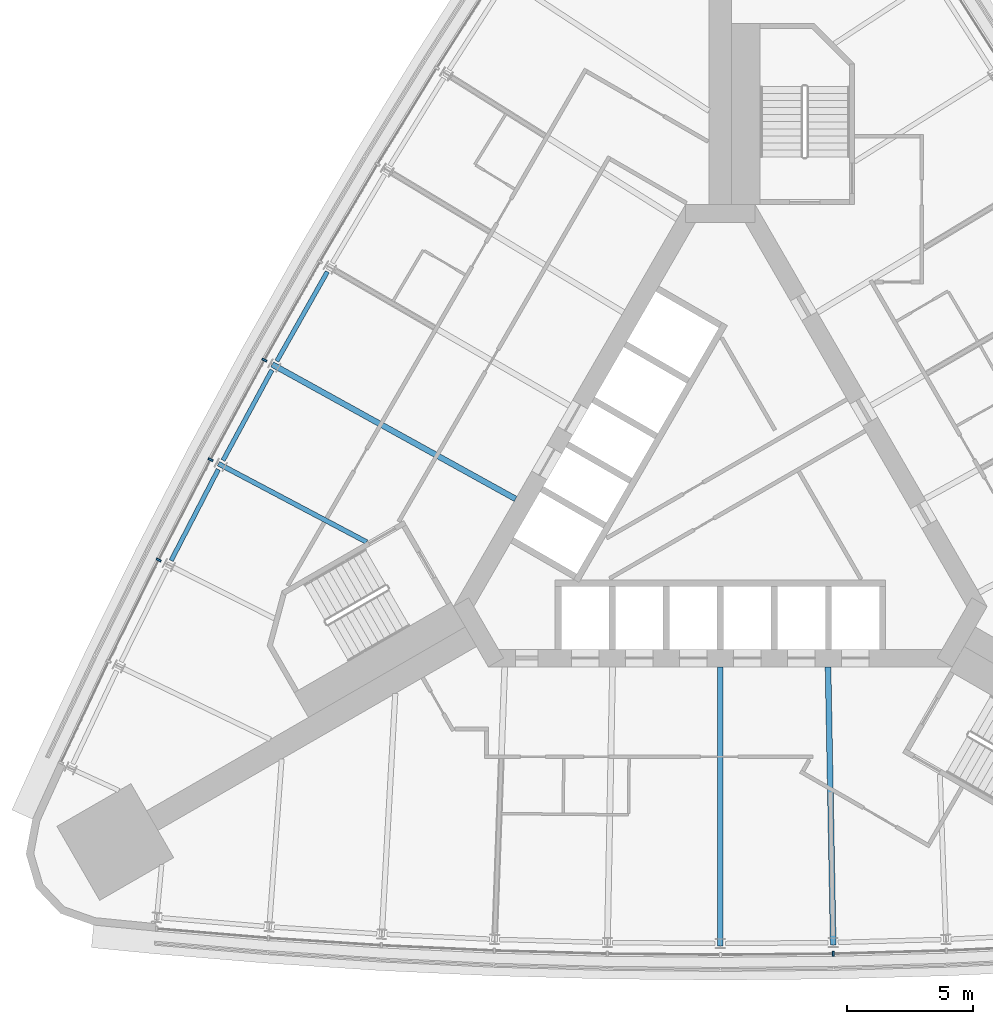
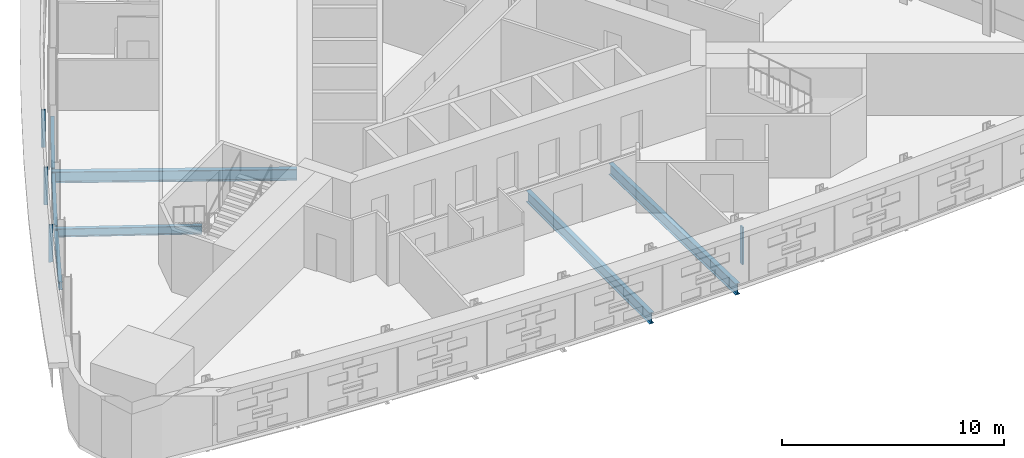
# One storey, part 4 of 15: 7 beams, 4 members, 2 elements without a shape of their own.
"""IFC4 building model written with IfcOpenShell, lengths in metres."""

from ifc_helpers import new_model, si_unit, direction, frame, origin, origin_2d, place, context, subcontext, project, spatial, rectangle, i_section, extrude, material, material_profile, profile_set, type_object, element, aggregate, save


model = new_model("IFC4")

# Units and contexts
model_context = context("Model", 3, precision=1e-05, world=origin(), true_north=direction((0.0, 1.0)))
body_context = subcontext(model_context, "Body", "Model", "MODEL_VIEW")
ifc_project = project(units=[si_unit("LENGTHUNIT", "METRE"), si_unit("AREAUNIT", "SQUARE_METRE"), si_unit("VOLUMEUNIT", "CUBIC_METRE"), si_unit("PLANEANGLEUNIT", "RADIAN"), si_unit("MASSUNIT", "GRAM", prefix="KILO")], contexts=[model_context])

# Site, building, storey
site_placement = place(None, origin())
site = spatial("IfcSite", under=ifc_project, at=site_placement, CompositionType="ELEMENT")
building_placement = place(site_placement, origin())
building = spatial("IfcBuilding", under=site, at=building_placement, Name="Noor Cloister Tower", CompositionType="ELEMENT")
storey_placement = place(building_placement, frame((0.0, 0.0, 27.60009765625)))
storey = spatial("IfcBuildingStorey", under=building, at=storey_placement, Name="L06", CompositionType="ELEMENT", Elevation=27.60009765625)

# Curtain wall, members
ifc_material_1 = material(Name="Aluminium 6063-T6 anodised", Category="aluminium")
curtain_wall_type = type_object("IfcCurtainWallType", Name="Ribbon curtain wall, lower tower CW1", PredefinedType="NOTDEFINED", material=ifc_material_1)
curtain_wall_1_placement = place(storey_placement, origin())
curtain_wall_1 = element("IfcCurtainWall", 1, at=curtain_wall_1_placement, inside=storey, type_object=curtain_wall_type, Name="CW1 L06 NW run 1", PredefinedType="NOTDEFINED")
ifc_material_2 = material(Name="Aluminium 6063-T6 anodised", Category="aluminium")
ifc_material_profile_1 = material_profile(ifc_material_2, rectangle(XDim=0.199951171875, YDim=0.080078125, at=origin_2d()), Name="200 x 80 mullion")
ifc_profile_set_1 = profile_set([ifc_material_profile_1], Name="Aluminium 6063-T6 anodised")
member_type = type_object("IfcMemberType", Name="Mullion CW1 80 x 200", PredefinedType="MULLION", material=ifc_profile_set_1)
member_1_placement = place(storey_placement, frame((-18.133056640625, 5.275390625, 1.099853515625), z_axis=(0.0, 0.0, 1.0), x_axis=(0.875152761016, -0.483846716312, 0.0)))
member_1 = element("IfcMember", 2, at=member_1_placement, type_object=member_type, Name="CW1 mullion 7", PredefinedType="MULLION", context=body_context, shape_type="SweptSolid", body=[
    extrude(rectangle(XDim=0.199951171875, YDim=0.080078125, at=origin_2d()), origin(), (0.0, 0.0, 1.0), 2.050048828125),
])
member_2_placement = place(storey_placement, frame((-20.27294921875, 1.31884765625, 1.099853515625), z_axis=(0.0, 0.0, 1.0), x_axis=(0.88397885809, -0.467526874574, 0.0)))
member_2 = element("IfcMember", 3, at=member_2_placement, type_object=member_type, Name="CW1 mullion 8", PredefinedType="MULLION", context=body_context, shape_type="SweptSolid", body=[
    extrude(rectangle(XDim=0.199951171875, YDim=0.080078125, at=origin_2d()), origin(), (0.0, 0.0, 1.0), 2.050048828125),
])
member_3_placement = place(storey_placement, frame((-22.3388671875, -2.6767578125, 1.099853515625), z_axis=(0.0, 0.0, 1.0), x_axis=(0.892500656737, -0.451046092683, 0.0)))
member_3 = element("IfcMember", 4, at=member_3_placement, type_object=member_type, Name="CW1 mullion 9", PredefinedType="MULLION", context=body_context, shape_type="SweptSolid", body=[
    extrude(rectangle(XDim=0.199951171875, YDim=0.080078125, at=origin_2d()), origin(), (0.0, 0.0, 1.0), 2.050048828125),
])
aggregate(curtain_wall_1, [member_1, member_2, member_3])

# Curtain wall, member
curtain_wall_2_placement = place(storey_placement, origin())
curtain_wall_2 = element("IfcCurtainWall", 5, at=curtain_wall_2_placement, inside=storey, type_object=curtain_wall_type, Name="CW1 L06 S run 2", PredefinedType="NOTDEFINED")
member_4_placement = place(storey_placement, frame((4.497802734375, -18.34130859375, 1.099853515625), z_axis=(0.0, 0.0, 1.0), x_axis=(-0.018552832644, 0.999827881388, 0.0)))
member_4 = element("IfcMember", 6, at=member_4_placement, type_object=member_type, Name="CW1 mullion 7", PredefinedType="MULLION", context=body_context, shape_type="SweptSolid", body=[
    extrude(rectangle(XDim=0.199951171875, YDim=0.080078125, at=origin_2d()), origin(), (0.0, 0.0, 1.0), 2.050048828125),
])
aggregate(curtain_wall_2, [member_4])

# Beams
ifc_material_3 = material(Name="Steel ASTM A992 Gr 50", Category="steel")
ifc_material_profile_2 = material_profile(ifc_material_3, i_section(OverallWidth=0.19091796875, OverallDepth=0.45703125, WebThickness=0.009033203125, FlangeThickness=0.014404296875, FilletRadius=0.01025390625, at=origin_2d()), Name="W460x74")
ifc_profile_set_2 = profile_set([ifc_material_profile_2], Name="Steel ASTM A992 Gr 50")
beam_type_1 = type_object("IfcBeamType", Name="Radial beam W460x74", PredefinedType="BEAM", material=ifc_profile_set_2)
beam_1_placement = place(storey_placement, frame((-19.960693359375, 1.15380859375, -0.4287109375), z_axis=(0.883980318995, -0.46752411235, 0.0), x_axis=(0.46752411235, 0.883980318995, 0.0)))
element("IfcBeam", 7, at=beam_1_placement, inside=storey, type_object=beam_type_1, Name="Radial beam NW 08 L06", PredefinedType="BEAM", context=body_context, shape_type="SweptSolid", body=[
    extrude(i_section(OverallWidth=0.19091796875, OverallDepth=0.45703125, WebThickness=0.009033203125, FlangeThickness=0.014404296875, FilletRadius=0.01025390625, at=origin_2d()), origin(), (0.0, 0.0, 1.0), 6.664306640625),
])
ifc_material_4 = material(Name="Steel ASTM A992 Gr 50", Category="steel")
ifc_material_profile_3 = material_profile(ifc_material_4, i_section(OverallWidth=0.22900390625, OverallDepth=0.612060546875, WebThickness=0.011962890625, FlangeThickness=0.01953125, FilletRadius=0.0126953125, at=origin_2d()), Name="W610x125")
ifc_profile_set_3 = profile_set([ifc_material_profile_3], Name="Steel ASTM A992 Gr 50")
beam_type_2 = type_object("IfcBeamType", Name="Radial beam W610x125", PredefinedType="BEAM", material=ifc_profile_set_3)
beam_2_placement = place(storey_placement, frame((-17.82421875, 5.104736328125, -0.506103515625), z_axis=(0.875148581024, -0.483854276753, 0.0), x_axis=(0.483854276753, 0.875148581024, 0.0)))
element("IfcBeam", 8, at=beam_2_placement, inside=storey, type_object=beam_type_2, Name="Radial beam NW 07 L06", PredefinedType="BEAM", context=body_context, shape_type="SweptSolid", body=[
    extrude(i_section(OverallWidth=0.22900390625, OverallDepth=0.612060546875, WebThickness=0.011962890625, FlangeThickness=0.01953125, FilletRadius=0.0126953125, at=origin_2d()), origin(), (0.0, 0.0, 1.0), 11.062255859375),
])
beam_3_placement = place(storey_placement, frame((0.0, -18.0302734375, -0.506103515625), z_axis=(0.0, 1.0, 0.0), x_axis=(-1.0, 0.0, 0.0)))
element("IfcBeam", 9, at=beam_3_placement, inside=storey, type_object=beam_type_2, Name="Radial beam S 06 L06", PredefinedType="BEAM", context=body_context, shape_type="SweptSolid", body=[
    extrude(i_section(OverallWidth=0.22900390625, OverallDepth=0.612060546875, WebThickness=0.011962890625, FlangeThickness=0.01953125, FilletRadius=0.0126953125, at=origin_2d()), origin(), (0.0, 0.0, 1.0), 11.10205078125),
])
beam_4_placement = place(storey_placement, frame((4.491455078125, -17.988525390625, -0.506103515625), z_axis=(-0.018560694116, 0.999827735479, 0.0), x_axis=(-0.999827735479, -0.018560694116, 0.0)))
element("IfcBeam", 10, at=beam_4_placement, inside=storey, type_object=beam_type_2, Name="Radial beam S 07 L06", PredefinedType="BEAM", context=body_context, shape_type="SweptSolid", body=[
    extrude(i_section(OverallWidth=0.22900390625, OverallDepth=0.612060546875, WebThickness=0.011962890625, FlangeThickness=0.01953125, FilletRadius=0.0126953125, at=origin_2d()), origin(), (0.0, 0.0, 1.0), 11.062255859375),
])
ifc_material_5 = material(Name="Steel ASTM A992 Gr 50", Category="steel")
ifc_material_profile_4 = material_profile(ifc_material_5, i_section(OverallWidth=0.177978515625, OverallDepth=0.406005859375, WebThickness=0.0078125, FlangeThickness=0.0126953125, FilletRadius=0.01025390625, at=origin_2d()), Name="W410x60")
ifc_profile_set_4 = profile_set([ifc_material_profile_4], Name="Steel ASTM A992 Gr 50")
beam_type_3 = type_object("IfcBeamType", Name="Spandrel beam W410x60", PredefinedType="SPANDREL", material=ifc_profile_set_4)
beam_5_placement = place(storey_placement, frame((-15.6298828125, 8.790771484375, -0.403076171875), z_axis=(-0.491956835416, -0.870619590916, 0.0), x_axis=(0.870619590916, -0.491956835416, 0.0)))
element("IfcBeam", 11, at=beam_5_placement, inside=storey, type_object=beam_type_3, Name="Spandrel beam NW 06 L06", PredefinedType="SPANDREL", context=body_context, shape_type="SweptSolid", body=[
    extrude(i_section(OverallWidth=0.177978515625, OverallDepth=0.406005859375, WebThickness=0.0078125, FlangeThickness=0.0126953125, FilletRadius=0.01025390625, at=origin_2d()), origin(), (0.0, 0.0, 1.0), 4.085693359375),
])
for number, where, z_axis, x_axis, name in (
    (12, (-17.83544921875, 4.880126953125, -0.403076171875), (-0.475688243293, -0.879613946679, 0.0), (0.879613946679, -0.475688243293, 0.0), "Spandrel beam NW 07 L06"),
    (13, (-19.9677734375, 0.92919921875, -0.403076171875), (-0.459314005258, -0.888273969321, 0.0), (0.888273969321, -0.459314005258, 0.0), "Spandrel beam NW 08 L06"),
):
    element("IfcBeam", number, at=place(storey_placement, frame(where, z_axis=z_axis, x_axis=x_axis)), inside=storey, type_object=beam_type_3, Name=name, PredefinedType="SPANDREL", context=body_context, shape_type="SweptSolid", body=[
        extrude(i_section(OverallWidth=0.177978515625, OverallDepth=0.406005859375, WebThickness=0.0078125, FlangeThickness=0.0126953125, FilletRadius=0.01025390625, at=origin_2d()), origin(), (0.0, 0.0, 1.0), 4.0859375),
    ])

save(model, "model.ifc")
